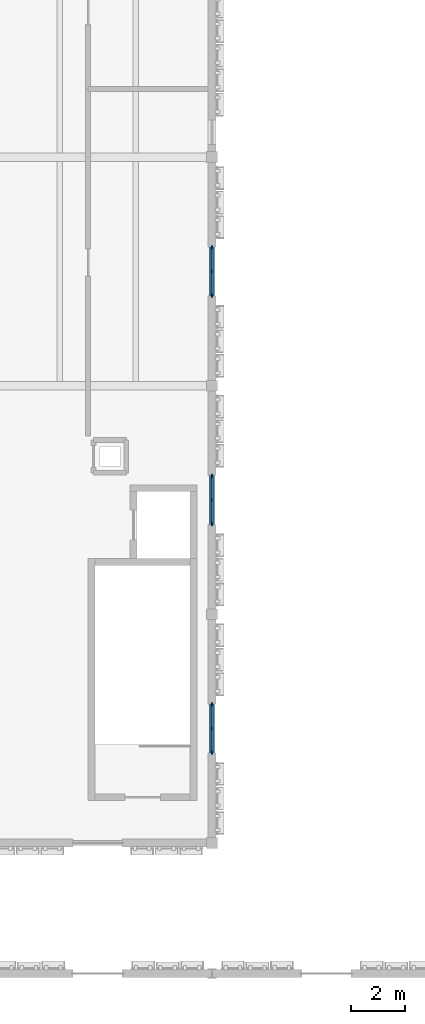
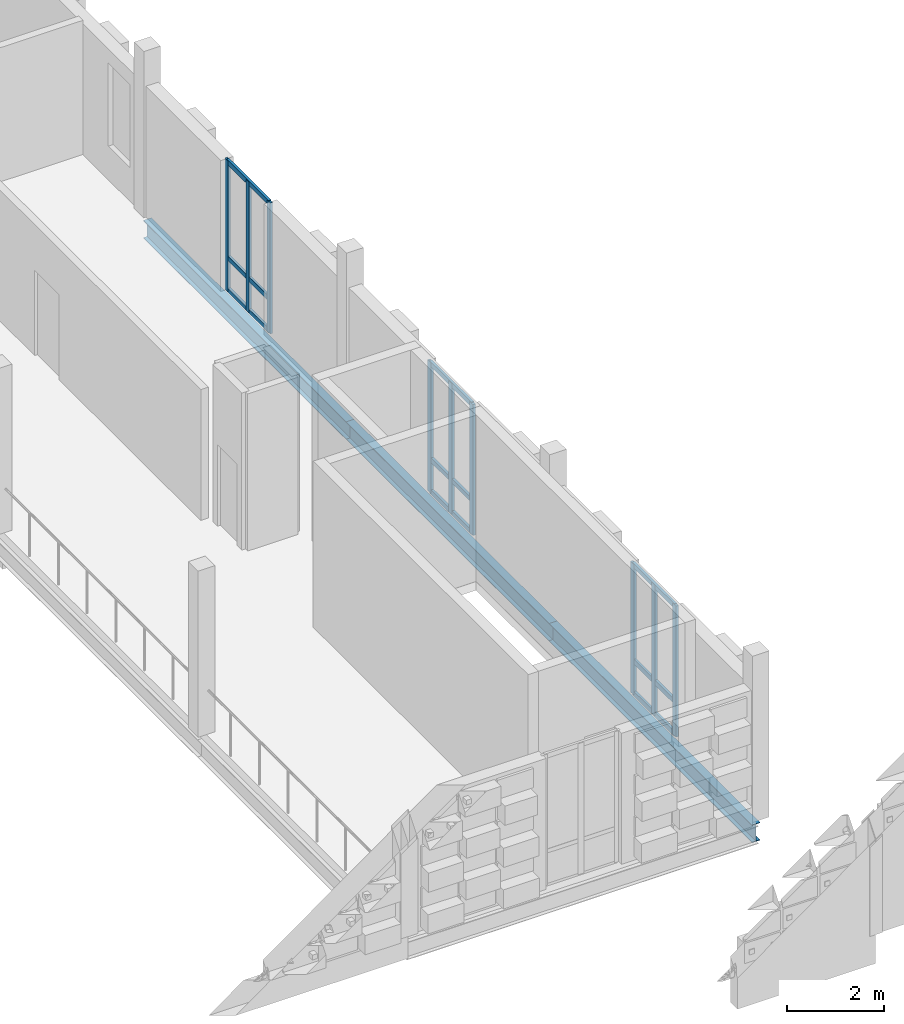
# One storey, part 12 of 81: 18 members, 3 beams, 3 elements without a shape of their own.
"""IFC4 building model written with IfcOpenShell, lengths in metres."""

import ifcopenshell
import ifcopenshell.guid

model = None  # the IFC model being written
_history = None  # IfcOwnerHistory: only IFC2X3 demands one
_inside = {}  # id of a spatial element -> (the spatial element, [elements in it])
_under = {}  # id of a project, library or spatial element -> (it, [spatial elements below it])
_declared = {}  # id of a project -> (the project, [libraries it declares])
_typed = {}  # id of a type object -> (the type object, [elements of that type])
_made_of = {}  # id of a material, layer set ... -> (it, [elements and type objects made of it])


def new_model(schema):
    """Start an empty IFC model of exactly this schema.

    Asked for "IFC4X3", IfcOpenShell would pick the latest addendum, in which some entities
    have other attributes; the version numbers below select the first issue.
    IFC2X3 requires an IfcOwnerHistory on every rooted entity: one is made here for all.
    """
    global model, _history
    if schema == "IFC4X3":
        model = ifcopenshell.file(schema_version=(4, 3, 0, 0))
    else:
        model = ifcopenshell.file(schema=schema)
    _inside.clear()
    _under.clear()
    _declared.clear()
    _typed.clear()
    _made_of.clear()
    _history = None
    if model.schema == "IFC2X3":
        org = make("IfcOrganization", Name="unknown")
        user = make(
            "IfcPersonAndOrganization",
            ThePerson=make("IfcPerson", FamilyName="unknown"),
            TheOrganization=org,
        )
        app = make(
            "IfcApplication",
            ApplicationDeveloper=org,
            Version="unknown",
            ApplicationFullName="unknown",
            ApplicationIdentifier="unknown",
        )
        _history = make(
            "IfcOwnerHistory",
            OwningUser=user,
            OwningApplication=app,
            ChangeAction="ADDED",
            CreationDate=0,
        )
    return model


def make(cls, **values):
    """One entity of the class cls with the attributes given. An attribute that is None is left unset."""
    return model.create_entity(
        cls, **{name: value for name, value in values.items() if value is not None}
    )


def rooted(cls, **values):
    """An entity with a GlobalId (a new one), such as an element, a storey or a relation."""
    return make(cls, GlobalId=ifcopenshell.guid.new(), OwnerHistory=_history, **values)


def si_unit(unit_type, name, prefix=None):
    """IfcSIUnit, for example si_unit("LENGTHUNIT", "METRE", prefix="MILLI")."""
    return make("IfcSIUnit", UnitType=unit_type, Prefix=prefix, Name=name)


def assignment(units):
    """IfcUnitAssignment: the units of a project."""
    return None if units is None else make("IfcUnitAssignment", Units=units)


def point(xyz):
    """IfcCartesianPoint."""
    return None if xyz is None else make("IfcCartesianPoint", Coordinates=xyz)


def direction(xyz):
    """IfcDirection."""
    return None if xyz is None else make("IfcDirection", DirectionRatios=xyz)


def frame(location, z_axis=None, x_axis=None):
    """IfcAxis2Placement3D, a coordinate frame: its origin and axes. An axis left out is left unset."""
    return make(
        "IfcAxis2Placement3D",
        Location=point(location),
        Axis=direction(z_axis),
        RefDirection=direction(x_axis),
    )


def frame_2d(location, x_axis=None):
    """IfcAxis2Placement2D, a coordinate frame in the plane: its origin and x axis."""
    return make(
        "IfcAxis2Placement2D", Location=point(location), RefDirection=direction(x_axis)
    )


def origin():
    """The frame at (0, 0, 0) with its axes left unset."""
    return frame((0.0, 0.0, 0.0))


def origin_2d():
    """The frame at (0, 0) in the plane with its x axis left unset."""
    return frame_2d((0.0, 0.0))


def place(relative_to, where):
    """IfcLocalPlacement: puts the frame where relative to a parent placement (None: the world)."""
    return make(
        "IfcLocalPlacement", PlacementRelTo=relative_to, RelativePlacement=where
    )


def context(
    kind, dimensions, precision=None, world=None, true_north=None, identifier=None
):
    """IfcGeometricRepresentationContext, for example the 3D "Model" context."""
    return make(
        "IfcGeometricRepresentationContext",
        ContextIdentifier=identifier,
        ContextType=kind,
        CoordinateSpaceDimension=dimensions,
        Precision=precision,
        WorldCoordinateSystem=world,
        TrueNorth=true_north,
    )


def subcontext(parent, identifier, kind, view, scale=None):
    """IfcGeometricRepresentationSubContext, for example "Body" below "Model"."""
    return make(
        "IfcGeometricRepresentationSubContext",
        ContextIdentifier=identifier,
        ContextType=kind,
        ParentContext=parent,
        TargetScale=scale,
        TargetView=view,
    )


def project(units=None, contexts=None):
    """IfcProject with its units and contexts."""
    return rooted(
        "IfcProject",
        Name="project",
        RepresentationContexts=contexts,
        UnitsInContext=assignment(units),
    )


def spatial(cls, under=None, at=None, **own):
    """A site, building, storey or space (cls), placed at a placement, below another one or the project."""
    s = rooted(cls, ObjectPlacement=at, **own)
    if under is not None:
        _under.setdefault(under.id(), (under, []))[1].append(s)
    return s


def profile(cls, at=None, kind="AREA", **sizes):
    """A parametric profile (cls). Its sizes go by their IFC names, for example OverallWidth=200.0."""
    return make(cls, ProfileType=kind, Position=at, **sizes)


def rectangle(**sizes):
    """IfcRectangleProfileDef."""
    return profile("IfcRectangleProfileDef", **sizes)


def i_section(**sizes):
    """IfcIShapeProfileDef."""
    return profile("IfcIShapeProfileDef", **sizes)


def extrude(swept, where, along, depth):
    """IfcExtrudedAreaSolid: the profile swept, set in the frame where, extruded along a direction by depth."""
    return make(
        "IfcExtrudedAreaSolid",
        SweptArea=swept,
        Position=where,
        ExtrudedDirection=direction(along),
        Depth=depth,
    )


def shape(context_of_items, identifier, shape_type, items):
    """IfcShapeRepresentation: the items that make up one representation, for example the "Body"."""
    return make(
        "IfcShapeRepresentation",
        ContextOfItems=context_of_items,
        RepresentationIdentifier=identifier,
        RepresentationType=shape_type,
        Items=items,
    )


def material(Name=None, Category=None):
    """IfcMaterial."""
    return make("IfcMaterial", Name=Name, Category=Category)


def material_profile(
    of_material, cross_section, Name=None, Category=None, Priority=None
):
    """IfcMaterialProfile: a cross section and its material."""
    return make(
        "IfcMaterialProfile",
        Name=Name,
        Material=of_material,
        Profile=cross_section,
        Priority=Priority,
        Category=Category,
    )


def profile_set(profiles, Name=None, composite=None):
    """IfcMaterialProfileSet."""
    return make(
        "IfcMaterialProfileSet",
        Name=Name,
        MaterialProfiles=profiles,
        CompositeProfile=composite,
    )


def made_of(thing, what):
    """Note that an element or type object is made of a material, layer set ...; save() writes the relation."""
    if what is not None:
        _made_of.setdefault(what.id(), (what, []))[1].append(thing)
    return thing


def type_object(cls, material=None, **own):
    """A type object (cls), such as IfcWallType, which elements share."""
    return made_of(rooted(cls, **own), material)


def element(
    cls,
    number,
    at=None,
    inside=None,
    cuts=None,
    type_object=None,
    material=None,
    context=None,
    identifier="Body",
    shape_type=None,
    held_by="IfcProductDefinitionShape",
    body=None,
    shapes=None,
    **own,
):
    """One element of the class cls, such as IfcWall. Its Tag is "e" and its number.

    at: its placement. inside: the storey or other place that contains it. cuts: it is an
    opening in that element (IfcRelVoidsElement). A single representation is given by context,
    identifier, shape_type and body (its items); several are given by shapes. held_by: the class
    of the entity that holds the representations. save() writes the other relations.
    """
    e = rooted(cls, Tag="e%d" % number, ObjectPlacement=at, **own)
    if body is not None:
        shapes = [shape(context, identifier, shape_type, body)]
    if shapes is not None:
        e.Representation = make(held_by, Representations=shapes)
    if inside is not None:
        _inside.setdefault(inside.id(), (inside, []))[1].append(e)
    if cuts is not None:
        rooted(
            "IfcRelVoidsElement", RelatingBuildingElement=cuts, RelatedOpeningElement=e
        )
    if type_object is not None:
        _typed.setdefault(type_object.id(), (type_object, []))[1].append(e)
    return made_of(e, material)


def aggregate(whole, parts):
    """IfcRelAggregates: a whole, such as a stair, and the parts it consists of."""
    return rooted("IfcRelAggregates", RelatingObject=whole, RelatedObjects=parts)


def save(model, path):
    """Write the relations noted so far, then the file.

    IfcRelAggregates (storeys below a building ...), IfcRelContainedInSpatialStructure (elements
    in a storey), IfcRelDefinesByType, IfcRelAssociatesMaterial and IfcRelDeclares: one each for
    every whole, place, type object, material and project.
    """
    for whole, parts in _under.values():
        aggregate(whole, parts)
    for where, things in _inside.values():
        rooted(
            "IfcRelContainedInSpatialStructure",
            RelatedElements=things,
            RelatingStructure=where,
        )
    for kind, things in _typed.values():
        rooted("IfcRelDefinesByType", RelatedObjects=things, RelatingType=kind)
    for what, things in _made_of.values():
        rooted("IfcRelAssociatesMaterial", RelatedObjects=things, RelatingMaterial=what)
    for by, libraries in _declared.values():
        rooted("IfcRelDeclares", RelatingContext=by, RelatedDefinitions=libraries)
    model.write(path)


model = new_model("IFC4")

# Units and contexts
model_context = context("Model", 3, precision=1e-05, world=origin(), true_north=direction((0.0, 1.0)))
body_context = subcontext(model_context, "Body", "Model", "MODEL_VIEW")
ifc_project = project(units=[si_unit("LENGTHUNIT", "METRE"), si_unit("AREAUNIT", "SQUARE_METRE"), si_unit("VOLUMEUNIT", "CUBIC_METRE"), si_unit("PLANEANGLEUNIT", "RADIAN"), si_unit("MASSUNIT", "GRAM", prefix="KILO")], contexts=[model_context])

# Site, building, storey
site_placement = place(None, origin())
site = spatial("IfcSite", under=ifc_project, at=site_placement, CompositionType="ELEMENT")
building_placement = place(site_placement, origin())
building = spatial("IfcBuilding", under=site, at=building_placement, Name="Kahlenmark Community Centre", CompositionType="ELEMENT")
storey_placement = place(building_placement, frame((0.0, 0.0, 9.60009765625)))
storey = spatial("IfcBuildingStorey", under=building, at=storey_placement, Name="L02", CompositionType="ELEMENT", Elevation=9.60009765625)

# Beams
ifc_material_1 = material(Name="Steel S355", Category="steel")
ifc_material_profile_1 = material_profile(ifc_material_1, i_section(OverallWidth=0.18994140625, OverallDepth=0.449951171875, WebThickness=0.009521484375, FlangeThickness=0.0146484375, at=origin_2d()), Name="IPE 450")
ifc_profile_set_1 = profile_set([ifc_material_profile_1], Name="Steel S355")
beam_type = type_object("IfcBeamType", Name="BT-SPANDREL-IPE450", PredefinedType="SPANDREL", material=ifc_profile_set_1)
beam_1_placement = place(storey_placement, frame((37.60009765625, 42.39990234375, -0.445068359375), z_axis=(0.0, 1.0, 0.0), x_axis=(-1.0, 0.0, 0.0)))
element("IfcBeam", 1, at=beam_1_placement, inside=storey, type_object=beam_type, Name="L02 spandrel SP-IPE450", PredefinedType="SPANDREL", context=body_context, shape_type="SweptSolid", body=[
    extrude(i_section(OverallWidth=0.18994140625, OverallDepth=0.449951171875, WebThickness=0.009521484375, FlangeThickness=0.0146484375, at=origin_2d()), origin(), (0.0, 0.0, 1.0), 8.400146484375),
])
beam_2_placement = place(storey_placement, frame((37.60009765625, 50.800048828125, -0.445068359375), z_axis=(0.0, 1.0, 0.0), x_axis=(-1.0, 0.0, 0.0)))
element("IfcBeam", 2, at=beam_2_placement, inside=storey, type_object=beam_type, Name="L02 spandrel SP-IPE450", PredefinedType="SPANDREL", context=body_context, shape_type="SweptSolid", body=[
    extrude(i_section(OverallWidth=0.18994140625, OverallDepth=0.449951171875, WebThickness=0.009521484375, FlangeThickness=0.0146484375, at=origin_2d()), origin(), (0.0, 0.0, 1.0), 8.39990234375),
])
beam_3_placement = place(storey_placement, frame((37.60009765625, 59.199951171875, -0.445068359375), z_axis=(0.0, 1.0, 0.0), x_axis=(-1.0, 0.0, 0.0)))
element("IfcBeam", 3, at=beam_3_placement, inside=storey, type_object=beam_type, Name="L02 spandrel SP-IPE450", PredefinedType="SPANDREL", context=body_context, shape_type="SweptSolid", body=[
    extrude(i_section(OverallWidth=0.18994140625, OverallDepth=0.449951171875, WebThickness=0.009521484375, FlangeThickness=0.0146484375, at=origin_2d()), origin(), (0.0, 0.0, 1.0), 8.400146484375),
])

# Curtain wall, members
ifc_material_2 = material(Name="Anodised aluminium unitised curtain wall", Category="aluminium")
curtain_wall_type = type_object("IfcCurtainWallType", Name="CWT-UNIT-180X331", PredefinedType="USERDEFINED", material=ifc_material_2)
curtain_wall_1_placement = place(storey_placement, origin())
curtain_wall_1 = element("IfcCurtainWall", 4, at=curtain_wall_1_placement, inside=storey, type_object=curtain_wall_type, Name="Unitised curtain wall CW-077", ObjectType="UNITISED CURTAIN WALL", PredefinedType="USERDEFINED")
ifc_material_3 = material(Name="Anodised aluminium 6063-T6", Category="aluminium")
ifc_material_profile_2 = material_profile(ifc_material_3, rectangle(XDim=0.06005859375, YDim=0.139892578125, at=origin_2d()), Name="ALU MULLION 60x140")
ifc_profile_set_2 = profile_set([ifc_material_profile_2], Name="Anodised aluminium 6063-T6")
member_type_1 = type_object("IfcMemberType", Name="MT-MUL-140", PredefinedType="MULLION", material=ifc_profile_set_2)
member_1_placement = place(storey_placement, frame((37.60009765625, 45.72998046875, 0.0), z_axis=(0.0, 0.0, 1.0), x_axis=(-1.0, 0.0, 0.0)))
member_1 = element("IfcMember", 5, at=member_1_placement, type_object=member_type_1, Name="CW-077 mullion 1", PredefinedType="MULLION", context=body_context, shape_type="SweptSolid", body=[
    extrude(rectangle(XDim=0.06005859375, YDim=0.139892578125, at=origin_2d()), origin(), (0.0, 0.0, 1.0), 3.309814453125),
])
member_2_placement = place(storey_placement, frame((37.60009765625, 46.60009765625, 0.0), z_axis=(0.0, 0.0, 1.0), x_axis=(-1.0, 0.0, 0.0)))
member_2 = element("IfcMember", 6, at=member_2_placement, type_object=member_type_1, Name="CW-077 mullion 2", PredefinedType="MULLION", context=body_context, shape_type="SweptSolid", body=[
    extrude(rectangle(XDim=0.06005859375, YDim=0.139892578125, at=origin_2d()), origin(), (0.0, 0.0, 1.0), 3.309814453125),
])
member_3_placement = place(storey_placement, frame((37.60009765625, 47.469970703125, 0.0), z_axis=(0.0, 0.0, 1.0), x_axis=(-1.0, 0.0, 0.0)))
member_3 = element("IfcMember", 7, at=member_3_placement, type_object=member_type_1, Name="CW-077 mullion 3", PredefinedType="MULLION", context=body_context, shape_type="SweptSolid", body=[
    extrude(rectangle(XDim=0.06005859375, YDim=0.139892578125, at=origin_2d()), origin(), (0.0, 0.0, 1.0), 3.309814453125),
])

curtain_wall_2_placement = place(storey_placement, origin())
curtain_wall_2 = element("IfcCurtainWall", 8, at=curtain_wall_2_placement, inside=storey, type_object=curtain_wall_type, Name="Unitised curtain wall CW-078", ObjectType="UNITISED CURTAIN WALL", PredefinedType="USERDEFINED")
member_4_placement = place(storey_placement, frame((37.60009765625, 54.1298828125, 0.0), z_axis=(0.0, 0.0, 1.0), x_axis=(-1.0, 0.0, 0.0)))
member_4 = element("IfcMember", 9, at=member_4_placement, type_object=member_type_1, Name="CW-078 mullion 1", PredefinedType="MULLION", context=body_context, shape_type="SweptSolid", body=[
    extrude(rectangle(XDim=0.06005859375, YDim=0.139892578125, at=origin_2d()), origin(), (0.0, 0.0, 1.0), 3.309814453125),
])
member_5_placement = place(storey_placement, frame((37.60009765625, 55.0, 0.0), z_axis=(0.0, 0.0, 1.0), x_axis=(-1.0, 0.0, 0.0)))
member_5 = element("IfcMember", 10, at=member_5_placement, type_object=member_type_1, Name="CW-078 mullion 2", PredefinedType="MULLION", context=body_context, shape_type="SweptSolid", body=[
    extrude(rectangle(XDim=0.06005859375, YDim=0.139892578125, at=origin_2d()), origin(), (0.0, 0.0, 1.0), 3.309814453125),
])
member_6_placement = place(storey_placement, frame((37.60009765625, 55.8701171875, 0.0), z_axis=(0.0, 0.0, 1.0), x_axis=(-1.0, 0.0, 0.0)))
member_6 = element("IfcMember", 11, at=member_6_placement, type_object=member_type_1, Name="CW-078 mullion 3", PredefinedType="MULLION", context=body_context, shape_type="SweptSolid", body=[
    extrude(rectangle(XDim=0.06005859375, YDim=0.139892578125, at=origin_2d()), origin(), (0.0, 0.0, 1.0), 3.309814453125),
])

curtain_wall_3_placement = place(storey_placement, origin())
curtain_wall_3 = element("IfcCurtainWall", 12, at=curtain_wall_3_placement, inside=storey, type_object=curtain_wall_type, Name="Unitised curtain wall CW-079", ObjectType="UNITISED CURTAIN WALL", PredefinedType="USERDEFINED")
member_7_placement = place(storey_placement, frame((37.60009765625, 62.530029296875, 0.0), z_axis=(0.0, 0.0, 1.0), x_axis=(-1.0, 0.0, 0.0)))
member_7 = element("IfcMember", 13, at=member_7_placement, type_object=member_type_1, Name="CW-079 mullion 1", PredefinedType="MULLION", context=body_context, shape_type="SweptSolid", body=[
    extrude(rectangle(XDim=0.06005859375, YDim=0.139892578125, at=origin_2d()), origin(), (0.0, 0.0, 1.0), 3.309814453125),
])
member_8_placement = place(storey_placement, frame((37.60009765625, 63.39990234375, 0.0), z_axis=(0.0, 0.0, 1.0), x_axis=(-1.0, 0.0, 0.0)))
member_8 = element("IfcMember", 14, at=member_8_placement, type_object=member_type_1, Name="CW-079 mullion 2", PredefinedType="MULLION", context=body_context, shape_type="SweptSolid", body=[
    extrude(rectangle(XDim=0.06005859375, YDim=0.139892578125, at=origin_2d()), origin(), (0.0, 0.0, 1.0), 3.309814453125),
])
member_9_placement = place(storey_placement, frame((37.60009765625, 64.27001953125, 0.0), z_axis=(0.0, 0.0, 1.0), x_axis=(-1.0, 0.0, 0.0)))
member_9 = element("IfcMember", 15, at=member_9_placement, type_object=member_type_1, Name="CW-079 mullion 3", PredefinedType="MULLION", context=body_context, shape_type="SweptSolid", body=[
    extrude(rectangle(XDim=0.06005859375, YDim=0.139892578125, at=origin_2d()), origin(), (0.0, 0.0, 1.0), 3.309814453125),
])

# Member
ifc_material_profile_3 = material_profile(ifc_material_3, rectangle(XDim=0.06005859375, YDim=0.1201171875, at=origin_2d()), Name="ALU TRANSOM 60x120")
ifc_profile_set_3 = profile_set([ifc_material_profile_3], Name="Anodised aluminium 6063-T6")
member_type_2 = type_object("IfcMemberType", Name="MT-TRN-120", PredefinedType="USERDEFINED", material=ifc_profile_set_3)
member_10_placement = place(storey_placement, frame((37.60009765625, 45.72998046875, 0.039794921875), z_axis=(0.0, 1.0, 0.0), x_axis=(-1.0, 0.0, 0.0)))
member_10 = element("IfcMember", 16, at=member_10_placement, type_object=member_type_2, Name="CW-077 transom 1", ObjectType="TRANSOM", PredefinedType="USERDEFINED", context=body_context, shape_type="SweptSolid", body=[
    extrude(rectangle(XDim=0.06005859375, YDim=0.1201171875, at=origin_2d()), origin(), (0.0, 0.0, 1.0), 1.739990234375),
])

member_11_placement = place(storey_placement, frame((37.60009765625, 45.72998046875, 0.849853515625), z_axis=(0.0, 1.0, 0.0), x_axis=(-1.0, 0.0, 0.0)))
member_11 = element("IfcMember", 17, at=member_11_placement, type_object=member_type_2, Name="CW-077 transom 2", ObjectType="TRANSOM", PredefinedType="USERDEFINED", context=body_context, shape_type="SweptSolid", body=[
    extrude(rectangle(XDim=0.06005859375, YDim=0.1201171875, at=origin_2d()), origin(), (0.0, 0.0, 1.0), 1.739990234375),
])

member_12_placement = place(storey_placement, frame((37.60009765625, 45.72998046875, 3.27001953125), z_axis=(0.0, 1.0, 0.0), x_axis=(-1.0, 0.0, 0.0)))
member_12 = element("IfcMember", 18, at=member_12_placement, type_object=member_type_2, Name="CW-077 transom 3", ObjectType="TRANSOM", PredefinedType="USERDEFINED", context=body_context, shape_type="SweptSolid", body=[
    extrude(rectangle(XDim=0.06005859375, YDim=0.1201171875, at=origin_2d()), origin(), (0.0, 0.0, 1.0), 1.739990234375),
])

aggregate(curtain_wall_1, [member_1, member_2, member_3, member_10, member_11, member_12])

member_13_placement = place(storey_placement, frame((37.60009765625, 54.1298828125, 0.039794921875), z_axis=(0.0, 1.0, 0.0), x_axis=(-1.0, 0.0, 0.0)))
member_13 = element("IfcMember", 19, at=member_13_placement, type_object=member_type_2, Name="CW-078 transom 1", ObjectType="TRANSOM", PredefinedType="USERDEFINED", context=body_context, shape_type="SweptSolid", body=[
    extrude(rectangle(XDim=0.06005859375, YDim=0.1201171875, at=origin_2d()), origin(), (0.0, 0.0, 1.0), 1.740234375),
])

member_14_placement = place(storey_placement, frame((37.60009765625, 54.1298828125, 0.849853515625), z_axis=(0.0, 1.0, 0.0), x_axis=(-1.0, 0.0, 0.0)))
member_14 = element("IfcMember", 20, at=member_14_placement, type_object=member_type_2, Name="CW-078 transom 2", ObjectType="TRANSOM", PredefinedType="USERDEFINED", context=body_context, shape_type="SweptSolid", body=[
    extrude(rectangle(XDim=0.06005859375, YDim=0.1201171875, at=origin_2d()), origin(), (0.0, 0.0, 1.0), 1.740234375),
])

member_15_placement = place(storey_placement, frame((37.60009765625, 54.1298828125, 3.27001953125), z_axis=(0.0, 1.0, 0.0), x_axis=(-1.0, 0.0, 0.0)))
member_15 = element("IfcMember", 21, at=member_15_placement, type_object=member_type_2, Name="CW-078 transom 3", ObjectType="TRANSOM", PredefinedType="USERDEFINED", context=body_context, shape_type="SweptSolid", body=[
    extrude(rectangle(XDim=0.06005859375, YDim=0.1201171875, at=origin_2d()), origin(), (0.0, 0.0, 1.0), 1.740234375),
])

aggregate(curtain_wall_2, [member_4, member_5, member_6, member_13, member_14, member_15])

member_16_placement = place(storey_placement, frame((37.60009765625, 62.530029296875, 0.039794921875), z_axis=(0.0, 1.0, 0.0), x_axis=(-1.0, 0.0, 0.0)))
member_16 = element("IfcMember", 22, at=member_16_placement, type_object=member_type_2, Name="CW-079 transom 1", ObjectType="TRANSOM", PredefinedType="USERDEFINED", context=body_context, shape_type="SweptSolid", body=[
    extrude(rectangle(XDim=0.06005859375, YDim=0.1201171875, at=origin_2d()), origin(), (0.0, 0.0, 1.0), 1.739990234375),
])

member_17_placement = place(storey_placement, frame((37.60009765625, 62.530029296875, 0.849853515625), z_axis=(0.0, 1.0, 0.0), x_axis=(-1.0, 0.0, 0.0)))
member_17 = element("IfcMember", 23, at=member_17_placement, type_object=member_type_2, Name="CW-079 transom 2", ObjectType="TRANSOM", PredefinedType="USERDEFINED", context=body_context, shape_type="SweptSolid", body=[
    extrude(rectangle(XDim=0.06005859375, YDim=0.1201171875, at=origin_2d()), origin(), (0.0, 0.0, 1.0), 1.739990234375),
])

member_18_placement = place(storey_placement, frame((37.60009765625, 62.530029296875, 3.27001953125), z_axis=(0.0, 1.0, 0.0), x_axis=(-1.0, 0.0, 0.0)))
member_18 = element("IfcMember", 24, at=member_18_placement, type_object=member_type_2, Name="CW-079 transom 3", ObjectType="TRANSOM", PredefinedType="USERDEFINED", context=body_context, shape_type="SweptSolid", body=[
    extrude(rectangle(XDim=0.06005859375, YDim=0.1201171875, at=origin_2d()), origin(), (0.0, 0.0, 1.0), 1.739990234375),
])

aggregate(curtain_wall_3, [member_7, member_8, member_9, member_16, member_17, member_18])

save(model, "model.ifc")
